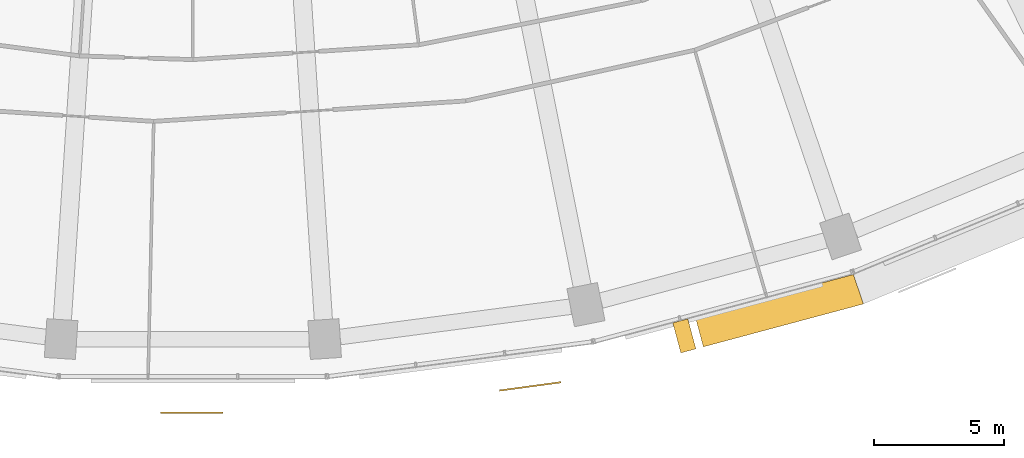
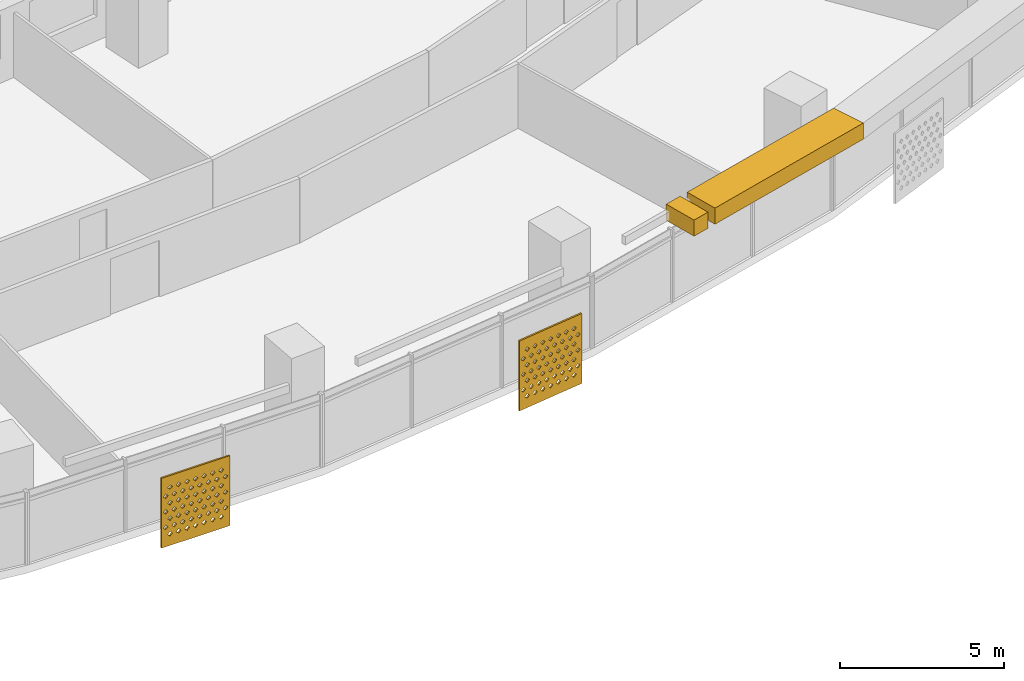
# One storey, part 26 of 29: 4 shading devices.
"""IFC4 building model written with IfcOpenShell, lengths in metres."""

from ifc_helpers import new_model, si_unit, direction, frame, origin, place, context, subcontext, project, spatial, polyline, outline, extrude, material, material_profile, profile_set, type_object, element, save


model = new_model("IFC4")

# Units and contexts
model_context = context("Model", 3, precision=1e-05, world=origin(), true_north=direction((0.0, 1.0)))
body_context = subcontext(model_context, "Body", "Model", "MODEL_VIEW")
ifc_project = project(units=[si_unit("LENGTHUNIT", "METRE"), si_unit("AREAUNIT", "SQUARE_METRE"), si_unit("VOLUMEUNIT", "CUBIC_METRE"), si_unit("PLANEANGLEUNIT", "RADIAN"), si_unit("MASSUNIT", "GRAM", prefix="KILO")], contexts=[model_context])

# Site, building, storey
site_placement = place(None, origin())
site = spatial("IfcSite", under=ifc_project, at=site_placement, CompositionType="ELEMENT")
building_placement = place(site_placement, origin())
building = spatial("IfcBuilding", under=site, at=building_placement, Name="Qamariyya Broadcast Tower", CompositionType="ELEMENT")
storey_placement = place(building_placement, frame((0.0, 0.0, 121.5)))
storey = spatial("IfcBuildingStorey", under=building, at=storey_placement, Name="L27", CompositionType="ELEMENT", Elevation=121.5)

# Shading devices
ifc_material_1 = material(Name="Steel S355 powder coated deep red", Category="steel")
shading_device_type_1 = type_object("IfcShadingDeviceType", Name="Deep red frame, powder coated steel box section", PredefinedType="USERDEFINED", material=ifc_material_1)
shading_device_1_placement = place(storey_placement, frame((0.0, 0.0, 3.199951171875)))
element("IfcShadingDevice", 1, at=shading_device_1_placement, inside=storey, type_object=shading_device_type_1, Name="e-frm-B2-F2-posta-L27", ObjectType="FRAME", PredefinedType="USERDEFINED", context=body_context, shape_type="SweptSolid", body=[
    extrude(outline(polyline([(18.520751953125, -76.958984375), (18.831298828125, -78.1181640625), (19.410888671875, -77.962890625), (19.100341796875, -76.8037109375), (18.520751953125, -76.958984375)])), origin(), (0.0, 0.0, 1.0), 0.60009765625),
])
shading_device_2_placement = place(storey_placement, frame((0.0, 0.0, 3.199951171875)))
element("IfcShadingDevice", 2, at=shading_device_2_placement, inside=storey, type_object=shading_device_type_1, Name="e-frm-B2-F2-bot0", ObjectType="FRAME", PredefinedType="USERDEFINED", context=body_context, shape_type="SweptSolid", body=[
    extrude(outline(polyline([(19.39013671875, -76.72607421875), (19.70068359375, -77.88525390625), (25.876708984375, -76.230224609375), (25.490234375, -75.091552734375), (19.39013671875, -76.72607421875)])), origin(), (0.0, 0.0, 1.0), 0.60009765625),
])
ifc_material_2 = material(Name="Perforated glazed terracotta", Category="masonry")
ifc_material_profile = material_profile(ifc_material_2, outline(polyline([(-1.199951171875, -1.300048828125), (1.199951171875, -1.300048828125), (1.199951171875, 1.300048828125), (-1.199951171875, 1.300048828125), (-1.199951171875, -1.300048828125)]), holes=[polyline([(-0.81494140625, -0.86669921875), (-0.89990234375, -0.78173828125), (-0.985107421875, -0.86669921875), (-0.89990234375, -0.95166015625), (-0.81494140625, -0.86669921875)]), polyline([(-0.514892578125, -0.86669921875), (-0.60009765625, -0.78173828125), (-0.68505859375, -0.86669921875), (-0.60009765625, -0.95166015625), (-0.514892578125, -0.86669921875)]), polyline([(-0.215087890625, -0.86669921875), (-0.300048828125, -0.78173828125), (-0.385009765625, -0.86669921875), (-0.300048828125, -0.95166015625), (-0.215087890625, -0.86669921875)]), polyline([(0.0849609375, -0.86669921875), (0.0, -0.78173828125), (-0.0849609375, -0.86669921875), (0.0, -0.95166015625), (0.0849609375, -0.86669921875)]), polyline([(0.385009765625, -0.86669921875), (0.300048828125, -0.78173828125), (0.215087890625, -0.86669921875), (0.300048828125, -0.95166015625), (0.385009765625, -0.86669921875)]), polyline([(0.68505859375, -0.86669921875), (0.60009765625, -0.78173828125), (0.514892578125, -0.86669921875), (0.60009765625, -0.95166015625), (0.68505859375, -0.86669921875)]), polyline([(0.985107421875, -0.86669921875), (0.89990234375, -0.78173828125), (0.81494140625, -0.86669921875), (0.89990234375, -0.95166015625), (0.985107421875, -0.86669921875)]), polyline([(-0.965087890625, -0.577880859375), (-1.050048828125, -0.49267578125), (-1.135009765625, -0.577880859375), (-1.050048828125, -0.662841796875), (-0.965087890625, -0.577880859375)]), polyline([(-0.6650390625, -0.577880859375), (-0.75, -0.49267578125), (-0.8349609375, -0.577880859375), (-0.75, -0.662841796875), (-0.6650390625, -0.577880859375)]), polyline([(-0.364990234375, -0.577880859375), (-0.449951171875, -0.49267578125), (-0.534912109375, -0.577880859375), (-0.449951171875, -0.662841796875), (-0.364990234375, -0.577880859375)]), polyline([(-0.06494140625, -0.577880859375), (-0.14990234375, -0.49267578125), (-0.235107421875, -0.577880859375), (-0.14990234375, -0.662841796875), (-0.06494140625, -0.577880859375)]), polyline([(0.235107421875, -0.577880859375), (0.14990234375, -0.49267578125), (0.06494140625, -0.577880859375), (0.14990234375, -0.662841796875), (0.235107421875, -0.577880859375)]), polyline([(0.534912109375, -0.577880859375), (0.449951171875, -0.49267578125), (0.364990234375, -0.577880859375), (0.449951171875, -0.662841796875), (0.534912109375, -0.577880859375)]), polyline([(0.8349609375, -0.577880859375), (0.75, -0.49267578125), (0.6650390625, -0.577880859375), (0.75, -0.662841796875), (0.8349609375, -0.577880859375)]), polyline([(1.135009765625, -0.577880859375), (1.050048828125, -0.49267578125), (0.965087890625, -0.577880859375), (1.050048828125, -0.662841796875), (1.135009765625, -0.577880859375)]), polyline([(-0.81494140625, -0.288818359375), (-0.89990234375, -0.203857421875), (-0.985107421875, -0.288818359375), (-0.89990234375, -0.373779296875), (-0.81494140625, -0.288818359375)]), polyline([(-0.514892578125, -0.288818359375), (-0.60009765625, -0.203857421875), (-0.68505859375, -0.288818359375), (-0.60009765625, -0.373779296875), (-0.514892578125, -0.288818359375)]), polyline([(-0.215087890625, -0.288818359375), (-0.300048828125, -0.203857421875), (-0.385009765625, -0.288818359375), (-0.300048828125, -0.373779296875), (-0.215087890625, -0.288818359375)]), polyline([(0.0849609375, -0.288818359375), (0.0, -0.203857421875), (-0.0849609375, -0.288818359375), (0.0, -0.373779296875), (0.0849609375, -0.288818359375)]), polyline([(0.385009765625, -0.288818359375), (0.300048828125, -0.203857421875), (0.215087890625, -0.288818359375), (0.300048828125, -0.373779296875), (0.385009765625, -0.288818359375)]), polyline([(0.68505859375, -0.288818359375), (0.60009765625, -0.203857421875), (0.514892578125, -0.288818359375), (0.60009765625, -0.373779296875), (0.68505859375, -0.288818359375)]), polyline([(0.985107421875, -0.288818359375), (0.89990234375, -0.203857421875), (0.81494140625, -0.288818359375), (0.89990234375, -0.373779296875), (0.985107421875, -0.288818359375)]), polyline([(-0.965087890625, 0.0), (-1.050048828125, 0.0849609375), (-1.135009765625, 0.0), (-1.050048828125, -0.0849609375), (-0.965087890625, 0.0)]), polyline([(-0.6650390625, 0.0), (-0.75, 0.0849609375), (-0.8349609375, 0.0), (-0.75, -0.0849609375), (-0.6650390625, 0.0)]), polyline([(-0.364990234375, 0.0), (-0.449951171875, 0.0849609375), (-0.534912109375, 0.0), (-0.449951171875, -0.0849609375), (-0.364990234375, 0.0)]), polyline([(-0.06494140625, 0.0), (-0.14990234375, 0.0849609375), (-0.235107421875, 0.0), (-0.14990234375, -0.0849609375), (-0.06494140625, 0.0)]), polyline([(0.235107421875, 0.0), (0.14990234375, 0.0849609375), (0.06494140625, 0.0), (0.14990234375, -0.0849609375), (0.235107421875, 0.0)]), polyline([(0.534912109375, 0.0), (0.449951171875, 0.0849609375), (0.364990234375, 0.0), (0.449951171875, -0.0849609375), (0.534912109375, 0.0)]), polyline([(0.8349609375, 0.0), (0.75, 0.0849609375), (0.6650390625, 0.0), (0.75, -0.0849609375), (0.8349609375, 0.0)]), polyline([(1.135009765625, 0.0), (1.050048828125, 0.0849609375), (0.965087890625, 0.0), (1.050048828125, -0.0849609375), (1.135009765625, 0.0)]), polyline([(-0.81494140625, 0.288818359375), (-0.89990234375, 0.373779296875), (-0.985107421875, 0.288818359375), (-0.89990234375, 0.203857421875), (-0.81494140625, 0.288818359375)]), polyline([(-0.514892578125, 0.288818359375), (-0.60009765625, 0.373779296875), (-0.68505859375, 0.288818359375), (-0.60009765625, 0.203857421875), (-0.514892578125, 0.288818359375)]), polyline([(-0.215087890625, 0.288818359375), (-0.300048828125, 0.373779296875), (-0.385009765625, 0.288818359375), (-0.300048828125, 0.203857421875), (-0.215087890625, 0.288818359375)]), polyline([(0.0849609375, 0.288818359375), (0.0, 0.373779296875), (-0.0849609375, 0.288818359375), (0.0, 0.203857421875), (0.0849609375, 0.288818359375)]), polyline([(0.385009765625, 0.288818359375), (0.300048828125, 0.373779296875), (0.215087890625, 0.288818359375), (0.300048828125, 0.203857421875), (0.385009765625, 0.288818359375)]), polyline([(0.68505859375, 0.288818359375), (0.60009765625, 0.373779296875), (0.514892578125, 0.288818359375), (0.60009765625, 0.203857421875), (0.68505859375, 0.288818359375)]), polyline([(0.985107421875, 0.288818359375), (0.89990234375, 0.373779296875), (0.81494140625, 0.288818359375), (0.89990234375, 0.203857421875), (0.985107421875, 0.288818359375)]), polyline([(-0.965087890625, 0.577880859375), (-1.050048828125, 0.662841796875), (-1.135009765625, 0.577880859375), (-1.050048828125, 0.49267578125), (-0.965087890625, 0.577880859375)]), polyline([(-0.6650390625, 0.577880859375), (-0.75, 0.662841796875), (-0.8349609375, 0.577880859375), (-0.75, 0.49267578125), (-0.6650390625, 0.577880859375)]), polyline([(-0.364990234375, 0.577880859375), (-0.449951171875, 0.662841796875), (-0.534912109375, 0.577880859375), (-0.449951171875, 0.49267578125), (-0.364990234375, 0.577880859375)]), polyline([(-0.06494140625, 0.577880859375), (-0.14990234375, 0.662841796875), (-0.235107421875, 0.577880859375), (-0.14990234375, 0.49267578125), (-0.06494140625, 0.577880859375)]), polyline([(0.235107421875, 0.577880859375), (0.14990234375, 0.662841796875), (0.06494140625, 0.577880859375), (0.14990234375, 0.49267578125), (0.235107421875, 0.577880859375)]), polyline([(0.534912109375, 0.577880859375), (0.449951171875, 0.662841796875), (0.364990234375, 0.577880859375), (0.449951171875, 0.49267578125), (0.534912109375, 0.577880859375)]), polyline([(0.8349609375, 0.577880859375), (0.75, 0.662841796875), (0.6650390625, 0.577880859375), (0.75, 0.49267578125), (0.8349609375, 0.577880859375)]), polyline([(1.135009765625, 0.577880859375), (1.050048828125, 0.662841796875), (0.965087890625, 0.577880859375), (1.050048828125, 0.49267578125), (1.135009765625, 0.577880859375)]), polyline([(-0.81494140625, 0.86669921875), (-0.89990234375, 0.95166015625), (-0.985107421875, 0.86669921875), (-0.89990234375, 0.78173828125), (-0.81494140625, 0.86669921875)]), polyline([(-0.514892578125, 0.86669921875), (-0.60009765625, 0.95166015625), (-0.68505859375, 0.86669921875), (-0.60009765625, 0.78173828125), (-0.514892578125, 0.86669921875)]), polyline([(-0.215087890625, 0.86669921875), (-0.300048828125, 0.95166015625), (-0.385009765625, 0.86669921875), (-0.300048828125, 0.78173828125), (-0.215087890625, 0.86669921875)]), polyline([(0.0849609375, 0.86669921875), (0.0, 0.95166015625), (-0.0849609375, 0.86669921875), (0.0, 0.78173828125), (0.0849609375, 0.86669921875)]), polyline([(0.385009765625, 0.86669921875), (0.300048828125, 0.95166015625), (0.215087890625, 0.86669921875), (0.300048828125, 0.78173828125), (0.385009765625, 0.86669921875)]), polyline([(0.68505859375, 0.86669921875), (0.60009765625, 0.95166015625), (0.514892578125, 0.86669921875), (0.60009765625, 0.78173828125), (0.68505859375, 0.86669921875)]), polyline([(0.985107421875, 0.86669921875), (0.89990234375, 0.95166015625), (0.81494140625, 0.86669921875), (0.89990234375, 0.78173828125), (0.985107421875, 0.86669921875)])]))
ifc_profile_set = profile_set([ifc_material_profile], Name="Perforated glazed terracotta")
shading_device_type_2 = type_object("IfcShadingDeviceType", Name="Perforated terracotta screen 2400 x 2600", PredefinedType="USERDEFINED", material=ifc_profile_set)
shading_device_3_placement = place(storey_placement, frame((-0.046630859375, -80.400146484375, 1.35009765625), z_axis=(0.0, -1.0, 0.0), x_axis=(1.0, 0.0, 0.0)))
element("IfcShadingDevice", 3, at=shading_device_3_placement, inside=storey, type_object=shading_device_type_2, Name="e-scr-L27-09-1", ObjectType="SCREEN", PredefinedType="USERDEFINED", context=body_context, shape_type="SweptSolid", body=[
    extrude(outline(polyline([(-1.199951171875, -1.300048828125), (1.199951171875, -1.300048828125), (1.199951171875, 1.300048828125), (-1.199951171875, 1.300048828125), (-1.199951171875, -1.300048828125)]), holes=[polyline([(-0.81494140625, -0.86669921875), (-0.89990234375, -0.78173828125), (-0.985107421875, -0.86669921875), (-0.89990234375, -0.95166015625), (-0.81494140625, -0.86669921875)]), polyline([(-0.514892578125, -0.86669921875), (-0.60009765625, -0.78173828125), (-0.68505859375, -0.86669921875), (-0.60009765625, -0.95166015625), (-0.514892578125, -0.86669921875)]), polyline([(-0.215087890625, -0.86669921875), (-0.300048828125, -0.78173828125), (-0.385009765625, -0.86669921875), (-0.300048828125, -0.95166015625), (-0.215087890625, -0.86669921875)]), polyline([(0.0849609375, -0.86669921875), (0.0, -0.78173828125), (-0.0849609375, -0.86669921875), (0.0, -0.95166015625), (0.0849609375, -0.86669921875)]), polyline([(0.385009765625, -0.86669921875), (0.300048828125, -0.78173828125), (0.215087890625, -0.86669921875), (0.300048828125, -0.95166015625), (0.385009765625, -0.86669921875)]), polyline([(0.68505859375, -0.86669921875), (0.60009765625, -0.78173828125), (0.514892578125, -0.86669921875), (0.60009765625, -0.95166015625), (0.68505859375, -0.86669921875)]), polyline([(0.985107421875, -0.86669921875), (0.89990234375, -0.78173828125), (0.81494140625, -0.86669921875), (0.89990234375, -0.95166015625), (0.985107421875, -0.86669921875)]), polyline([(-0.965087890625, -0.577880859375), (-1.050048828125, -0.49267578125), (-1.135009765625, -0.577880859375), (-1.050048828125, -0.662841796875), (-0.965087890625, -0.577880859375)]), polyline([(-0.6650390625, -0.577880859375), (-0.75, -0.49267578125), (-0.8349609375, -0.577880859375), (-0.75, -0.662841796875), (-0.6650390625, -0.577880859375)]), polyline([(-0.364990234375, -0.577880859375), (-0.449951171875, -0.49267578125), (-0.534912109375, -0.577880859375), (-0.449951171875, -0.662841796875), (-0.364990234375, -0.577880859375)]), polyline([(-0.06494140625, -0.577880859375), (-0.14990234375, -0.49267578125), (-0.235107421875, -0.577880859375), (-0.14990234375, -0.662841796875), (-0.06494140625, -0.577880859375)]), polyline([(0.235107421875, -0.577880859375), (0.14990234375, -0.49267578125), (0.06494140625, -0.577880859375), (0.14990234375, -0.662841796875), (0.235107421875, -0.577880859375)]), polyline([(0.534912109375, -0.577880859375), (0.449951171875, -0.49267578125), (0.364990234375, -0.577880859375), (0.449951171875, -0.662841796875), (0.534912109375, -0.577880859375)]), polyline([(0.8349609375, -0.577880859375), (0.75, -0.49267578125), (0.6650390625, -0.577880859375), (0.75, -0.662841796875), (0.8349609375, -0.577880859375)]), polyline([(1.135009765625, -0.577880859375), (1.050048828125, -0.49267578125), (0.965087890625, -0.577880859375), (1.050048828125, -0.662841796875), (1.135009765625, -0.577880859375)]), polyline([(-0.81494140625, -0.288818359375), (-0.89990234375, -0.203857421875), (-0.985107421875, -0.288818359375), (-0.89990234375, -0.373779296875), (-0.81494140625, -0.288818359375)]), polyline([(-0.514892578125, -0.288818359375), (-0.60009765625, -0.203857421875), (-0.68505859375, -0.288818359375), (-0.60009765625, -0.373779296875), (-0.514892578125, -0.288818359375)]), polyline([(-0.215087890625, -0.288818359375), (-0.300048828125, -0.203857421875), (-0.385009765625, -0.288818359375), (-0.300048828125, -0.373779296875), (-0.215087890625, -0.288818359375)]), polyline([(0.0849609375, -0.288818359375), (0.0, -0.203857421875), (-0.0849609375, -0.288818359375), (0.0, -0.373779296875), (0.0849609375, -0.288818359375)]), polyline([(0.385009765625, -0.288818359375), (0.300048828125, -0.203857421875), (0.215087890625, -0.288818359375), (0.300048828125, -0.373779296875), (0.385009765625, -0.288818359375)]), polyline([(0.68505859375, -0.288818359375), (0.60009765625, -0.203857421875), (0.514892578125, -0.288818359375), (0.60009765625, -0.373779296875), (0.68505859375, -0.288818359375)]), polyline([(0.985107421875, -0.288818359375), (0.89990234375, -0.203857421875), (0.81494140625, -0.288818359375), (0.89990234375, -0.373779296875), (0.985107421875, -0.288818359375)]), polyline([(-0.965087890625, 0.0), (-1.050048828125, 0.0849609375), (-1.135009765625, 0.0), (-1.050048828125, -0.0849609375), (-0.965087890625, 0.0)]), polyline([(-0.6650390625, 0.0), (-0.75, 0.0849609375), (-0.8349609375, 0.0), (-0.75, -0.0849609375), (-0.6650390625, 0.0)]), polyline([(-0.364990234375, 0.0), (-0.449951171875, 0.0849609375), (-0.534912109375, 0.0), (-0.449951171875, -0.0849609375), (-0.364990234375, 0.0)]), polyline([(-0.06494140625, 0.0), (-0.14990234375, 0.0849609375), (-0.235107421875, 0.0), (-0.14990234375, -0.0849609375), (-0.06494140625, 0.0)]), polyline([(0.235107421875, 0.0), (0.14990234375, 0.0849609375), (0.06494140625, 0.0), (0.14990234375, -0.0849609375), (0.235107421875, 0.0)]), polyline([(0.534912109375, 0.0), (0.449951171875, 0.0849609375), (0.364990234375, 0.0), (0.449951171875, -0.0849609375), (0.534912109375, 0.0)]), polyline([(0.8349609375, 0.0), (0.75, 0.0849609375), (0.6650390625, 0.0), (0.75, -0.0849609375), (0.8349609375, 0.0)]), polyline([(1.135009765625, 0.0), (1.050048828125, 0.0849609375), (0.965087890625, 0.0), (1.050048828125, -0.0849609375), (1.135009765625, 0.0)]), polyline([(-0.81494140625, 0.288818359375), (-0.89990234375, 0.373779296875), (-0.985107421875, 0.288818359375), (-0.89990234375, 0.203857421875), (-0.81494140625, 0.288818359375)]), polyline([(-0.514892578125, 0.288818359375), (-0.60009765625, 0.373779296875), (-0.68505859375, 0.288818359375), (-0.60009765625, 0.203857421875), (-0.514892578125, 0.288818359375)]), polyline([(-0.215087890625, 0.288818359375), (-0.300048828125, 0.373779296875), (-0.385009765625, 0.288818359375), (-0.300048828125, 0.203857421875), (-0.215087890625, 0.288818359375)]), polyline([(0.0849609375, 0.288818359375), (0.0, 0.373779296875), (-0.0849609375, 0.288818359375), (0.0, 0.203857421875), (0.0849609375, 0.288818359375)]), polyline([(0.385009765625, 0.288818359375), (0.300048828125, 0.373779296875), (0.215087890625, 0.288818359375), (0.300048828125, 0.203857421875), (0.385009765625, 0.288818359375)]), polyline([(0.68505859375, 0.288818359375), (0.60009765625, 0.373779296875), (0.514892578125, 0.288818359375), (0.60009765625, 0.203857421875), (0.68505859375, 0.288818359375)]), polyline([(0.985107421875, 0.288818359375), (0.89990234375, 0.373779296875), (0.81494140625, 0.288818359375), (0.89990234375, 0.203857421875), (0.985107421875, 0.288818359375)]), polyline([(-0.965087890625, 0.577880859375), (-1.050048828125, 0.662841796875), (-1.135009765625, 0.577880859375), (-1.050048828125, 0.49267578125), (-0.965087890625, 0.577880859375)]), polyline([(-0.6650390625, 0.577880859375), (-0.75, 0.662841796875), (-0.8349609375, 0.577880859375), (-0.75, 0.49267578125), (-0.6650390625, 0.577880859375)]), polyline([(-0.364990234375, 0.577880859375), (-0.449951171875, 0.662841796875), (-0.534912109375, 0.577880859375), (-0.449951171875, 0.49267578125), (-0.364990234375, 0.577880859375)]), polyline([(-0.06494140625, 0.577880859375), (-0.14990234375, 0.662841796875), (-0.235107421875, 0.577880859375), (-0.14990234375, 0.49267578125), (-0.06494140625, 0.577880859375)]), polyline([(0.235107421875, 0.577880859375), (0.14990234375, 0.662841796875), (0.06494140625, 0.577880859375), (0.14990234375, 0.49267578125), (0.235107421875, 0.577880859375)]), polyline([(0.534912109375, 0.577880859375), (0.449951171875, 0.662841796875), (0.364990234375, 0.577880859375), (0.449951171875, 0.49267578125), (0.534912109375, 0.577880859375)]), polyline([(0.8349609375, 0.577880859375), (0.75, 0.662841796875), (0.6650390625, 0.577880859375), (0.75, 0.49267578125), (0.8349609375, 0.577880859375)]), polyline([(1.135009765625, 0.577880859375), (1.050048828125, 0.662841796875), (0.965087890625, 0.577880859375), (1.050048828125, 0.49267578125), (1.135009765625, 0.577880859375)]), polyline([(-0.81494140625, 0.86669921875), (-0.89990234375, 0.95166015625), (-0.985107421875, 0.86669921875), (-0.89990234375, 0.78173828125), (-0.81494140625, 0.86669921875)]), polyline([(-0.514892578125, 0.86669921875), (-0.60009765625, 0.95166015625), (-0.68505859375, 0.86669921875), (-0.60009765625, 0.78173828125), (-0.514892578125, 0.86669921875)]), polyline([(-0.215087890625, 0.86669921875), (-0.300048828125, 0.95166015625), (-0.385009765625, 0.86669921875), (-0.300048828125, 0.78173828125), (-0.215087890625, 0.86669921875)]), polyline([(0.0849609375, 0.86669921875), (0.0, 0.95166015625), (-0.0849609375, 0.86669921875), (0.0, 0.78173828125), (0.0849609375, 0.86669921875)]), polyline([(0.385009765625, 0.86669921875), (0.300048828125, 0.95166015625), (0.215087890625, 0.86669921875), (0.300048828125, 0.78173828125), (0.385009765625, 0.86669921875)]), polyline([(0.68505859375, 0.86669921875), (0.60009765625, 0.95166015625), (0.514892578125, 0.86669921875), (0.60009765625, 0.78173828125), (0.68505859375, 0.86669921875)]), polyline([(0.985107421875, 0.86669921875), (0.89990234375, 0.95166015625), (0.81494140625, 0.86669921875), (0.89990234375, 0.78173828125), (0.985107421875, 0.86669921875)])]), origin(), (0.0, 0.0, 1.0), 0.06005859375),
])
shading_device_4_placement = place(storey_placement, frame((13.01904296875, -79.3798828125, 1.35009765625), z_axis=(0.134025693798, -0.99097785717, 0.0), x_axis=(0.99097785717, 0.134025693798, 0.0)))
element("IfcShadingDevice", 4, at=shading_device_4_placement, inside=storey, type_object=shading_device_type_2, Name="e-scr-L27-10-2", ObjectType="SCREEN", PredefinedType="USERDEFINED", context=body_context, shape_type="SweptSolid", body=[
    extrude(outline(polyline([(-1.199951171875, -1.300048828125), (1.199951171875, -1.300048828125), (1.199951171875, 1.300048828125), (-1.199951171875, 1.300048828125), (-1.199951171875, -1.300048828125)]), holes=[polyline([(-0.81494140625, -0.86669921875), (-0.89990234375, -0.78173828125), (-0.985107421875, -0.86669921875), (-0.89990234375, -0.95166015625), (-0.81494140625, -0.86669921875)]), polyline([(-0.514892578125, -0.86669921875), (-0.60009765625, -0.78173828125), (-0.68505859375, -0.86669921875), (-0.60009765625, -0.95166015625), (-0.514892578125, -0.86669921875)]), polyline([(-0.215087890625, -0.86669921875), (-0.300048828125, -0.78173828125), (-0.385009765625, -0.86669921875), (-0.300048828125, -0.95166015625), (-0.215087890625, -0.86669921875)]), polyline([(0.0849609375, -0.86669921875), (0.0, -0.78173828125), (-0.0849609375, -0.86669921875), (0.0, -0.95166015625), (0.0849609375, -0.86669921875)]), polyline([(0.385009765625, -0.86669921875), (0.300048828125, -0.78173828125), (0.215087890625, -0.86669921875), (0.300048828125, -0.95166015625), (0.385009765625, -0.86669921875)]), polyline([(0.68505859375, -0.86669921875), (0.60009765625, -0.78173828125), (0.514892578125, -0.86669921875), (0.60009765625, -0.95166015625), (0.68505859375, -0.86669921875)]), polyline([(0.985107421875, -0.86669921875), (0.89990234375, -0.78173828125), (0.81494140625, -0.86669921875), (0.89990234375, -0.95166015625), (0.985107421875, -0.86669921875)]), polyline([(-0.965087890625, -0.577880859375), (-1.050048828125, -0.49267578125), (-1.135009765625, -0.577880859375), (-1.050048828125, -0.662841796875), (-0.965087890625, -0.577880859375)]), polyline([(-0.6650390625, -0.577880859375), (-0.75, -0.49267578125), (-0.8349609375, -0.577880859375), (-0.75, -0.662841796875), (-0.6650390625, -0.577880859375)]), polyline([(-0.364990234375, -0.577880859375), (-0.449951171875, -0.49267578125), (-0.534912109375, -0.577880859375), (-0.449951171875, -0.662841796875), (-0.364990234375, -0.577880859375)]), polyline([(-0.06494140625, -0.577880859375), (-0.14990234375, -0.49267578125), (-0.235107421875, -0.577880859375), (-0.14990234375, -0.662841796875), (-0.06494140625, -0.577880859375)]), polyline([(0.235107421875, -0.577880859375), (0.14990234375, -0.49267578125), (0.06494140625, -0.577880859375), (0.14990234375, -0.662841796875), (0.235107421875, -0.577880859375)]), polyline([(0.534912109375, -0.577880859375), (0.449951171875, -0.49267578125), (0.364990234375, -0.577880859375), (0.449951171875, -0.662841796875), (0.534912109375, -0.577880859375)]), polyline([(0.8349609375, -0.577880859375), (0.75, -0.49267578125), (0.6650390625, -0.577880859375), (0.75, -0.662841796875), (0.8349609375, -0.577880859375)]), polyline([(1.135009765625, -0.577880859375), (1.050048828125, -0.49267578125), (0.965087890625, -0.577880859375), (1.050048828125, -0.662841796875), (1.135009765625, -0.577880859375)]), polyline([(-0.81494140625, -0.288818359375), (-0.89990234375, -0.203857421875), (-0.985107421875, -0.288818359375), (-0.89990234375, -0.373779296875), (-0.81494140625, -0.288818359375)]), polyline([(-0.514892578125, -0.288818359375), (-0.60009765625, -0.203857421875), (-0.68505859375, -0.288818359375), (-0.60009765625, -0.373779296875), (-0.514892578125, -0.288818359375)]), polyline([(-0.215087890625, -0.288818359375), (-0.300048828125, -0.203857421875), (-0.385009765625, -0.288818359375), (-0.300048828125, -0.373779296875), (-0.215087890625, -0.288818359375)]), polyline([(0.0849609375, -0.288818359375), (0.0, -0.203857421875), (-0.0849609375, -0.288818359375), (0.0, -0.373779296875), (0.0849609375, -0.288818359375)]), polyline([(0.385009765625, -0.288818359375), (0.300048828125, -0.203857421875), (0.215087890625, -0.288818359375), (0.300048828125, -0.373779296875), (0.385009765625, -0.288818359375)]), polyline([(0.68505859375, -0.288818359375), (0.60009765625, -0.203857421875), (0.514892578125, -0.288818359375), (0.60009765625, -0.373779296875), (0.68505859375, -0.288818359375)]), polyline([(0.985107421875, -0.288818359375), (0.89990234375, -0.203857421875), (0.81494140625, -0.288818359375), (0.89990234375, -0.373779296875), (0.985107421875, -0.288818359375)]), polyline([(-0.965087890625, 0.0), (-1.050048828125, 0.0849609375), (-1.135009765625, 0.0), (-1.050048828125, -0.0849609375), (-0.965087890625, 0.0)]), polyline([(-0.6650390625, 0.0), (-0.75, 0.0849609375), (-0.8349609375, 0.0), (-0.75, -0.0849609375), (-0.6650390625, 0.0)]), polyline([(-0.364990234375, 0.0), (-0.449951171875, 0.0849609375), (-0.534912109375, 0.0), (-0.449951171875, -0.0849609375), (-0.364990234375, 0.0)]), polyline([(-0.06494140625, 0.0), (-0.14990234375, 0.0849609375), (-0.235107421875, 0.0), (-0.14990234375, -0.0849609375), (-0.06494140625, 0.0)]), polyline([(0.235107421875, 0.0), (0.14990234375, 0.0849609375), (0.06494140625, 0.0), (0.14990234375, -0.0849609375), (0.235107421875, 0.0)]), polyline([(0.534912109375, 0.0), (0.449951171875, 0.0849609375), (0.364990234375, 0.0), (0.449951171875, -0.0849609375), (0.534912109375, 0.0)]), polyline([(0.8349609375, 0.0), (0.75, 0.0849609375), (0.6650390625, 0.0), (0.75, -0.0849609375), (0.8349609375, 0.0)]), polyline([(1.135009765625, 0.0), (1.050048828125, 0.0849609375), (0.965087890625, 0.0), (1.050048828125, -0.0849609375), (1.135009765625, 0.0)]), polyline([(-0.81494140625, 0.288818359375), (-0.89990234375, 0.373779296875), (-0.985107421875, 0.288818359375), (-0.89990234375, 0.203857421875), (-0.81494140625, 0.288818359375)]), polyline([(-0.514892578125, 0.288818359375), (-0.60009765625, 0.373779296875), (-0.68505859375, 0.288818359375), (-0.60009765625, 0.203857421875), (-0.514892578125, 0.288818359375)]), polyline([(-0.215087890625, 0.288818359375), (-0.300048828125, 0.373779296875), (-0.385009765625, 0.288818359375), (-0.300048828125, 0.203857421875), (-0.215087890625, 0.288818359375)]), polyline([(0.0849609375, 0.288818359375), (0.0, 0.373779296875), (-0.0849609375, 0.288818359375), (0.0, 0.203857421875), (0.0849609375, 0.288818359375)]), polyline([(0.385009765625, 0.288818359375), (0.300048828125, 0.373779296875), (0.215087890625, 0.288818359375), (0.300048828125, 0.203857421875), (0.385009765625, 0.288818359375)]), polyline([(0.68505859375, 0.288818359375), (0.60009765625, 0.373779296875), (0.514892578125, 0.288818359375), (0.60009765625, 0.203857421875), (0.68505859375, 0.288818359375)]), polyline([(0.985107421875, 0.288818359375), (0.89990234375, 0.373779296875), (0.81494140625, 0.288818359375), (0.89990234375, 0.203857421875), (0.985107421875, 0.288818359375)]), polyline([(-0.965087890625, 0.577880859375), (-1.050048828125, 0.662841796875), (-1.135009765625, 0.577880859375), (-1.050048828125, 0.49267578125), (-0.965087890625, 0.577880859375)]), polyline([(-0.6650390625, 0.577880859375), (-0.75, 0.662841796875), (-0.8349609375, 0.577880859375), (-0.75, 0.49267578125), (-0.6650390625, 0.577880859375)]), polyline([(-0.364990234375, 0.577880859375), (-0.449951171875, 0.662841796875), (-0.534912109375, 0.577880859375), (-0.449951171875, 0.49267578125), (-0.364990234375, 0.577880859375)]), polyline([(-0.06494140625, 0.577880859375), (-0.14990234375, 0.662841796875), (-0.235107421875, 0.577880859375), (-0.14990234375, 0.49267578125), (-0.06494140625, 0.577880859375)]), polyline([(0.235107421875, 0.577880859375), (0.14990234375, 0.662841796875), (0.06494140625, 0.577880859375), (0.14990234375, 0.49267578125), (0.235107421875, 0.577880859375)]), polyline([(0.534912109375, 0.577880859375), (0.449951171875, 0.662841796875), (0.364990234375, 0.577880859375), (0.449951171875, 0.49267578125), (0.534912109375, 0.577880859375)]), polyline([(0.8349609375, 0.577880859375), (0.75, 0.662841796875), (0.6650390625, 0.577880859375), (0.75, 0.49267578125), (0.8349609375, 0.577880859375)]), polyline([(1.135009765625, 0.577880859375), (1.050048828125, 0.662841796875), (0.965087890625, 0.577880859375), (1.050048828125, 0.49267578125), (1.135009765625, 0.577880859375)]), polyline([(-0.81494140625, 0.86669921875), (-0.89990234375, 0.95166015625), (-0.985107421875, 0.86669921875), (-0.89990234375, 0.78173828125), (-0.81494140625, 0.86669921875)]), polyline([(-0.514892578125, 0.86669921875), (-0.60009765625, 0.95166015625), (-0.68505859375, 0.86669921875), (-0.60009765625, 0.78173828125), (-0.514892578125, 0.86669921875)]), polyline([(-0.215087890625, 0.86669921875), (-0.300048828125, 0.95166015625), (-0.385009765625, 0.86669921875), (-0.300048828125, 0.78173828125), (-0.215087890625, 0.86669921875)]), polyline([(0.0849609375, 0.86669921875), (0.0, 0.95166015625), (-0.0849609375, 0.86669921875), (0.0, 0.78173828125), (0.0849609375, 0.86669921875)]), polyline([(0.385009765625, 0.86669921875), (0.300048828125, 0.95166015625), (0.215087890625, 0.86669921875), (0.300048828125, 0.78173828125), (0.385009765625, 0.86669921875)]), polyline([(0.68505859375, 0.86669921875), (0.60009765625, 0.95166015625), (0.514892578125, 0.86669921875), (0.60009765625, 0.78173828125), (0.68505859375, 0.86669921875)]), polyline([(0.985107421875, 0.86669921875), (0.89990234375, 0.95166015625), (0.81494140625, 0.86669921875), (0.89990234375, 0.78173828125), (0.985107421875, 0.86669921875)])]), origin(), (0.0, 0.0, 1.0), 0.06005859375),
])

save(model, "model.ifc")
